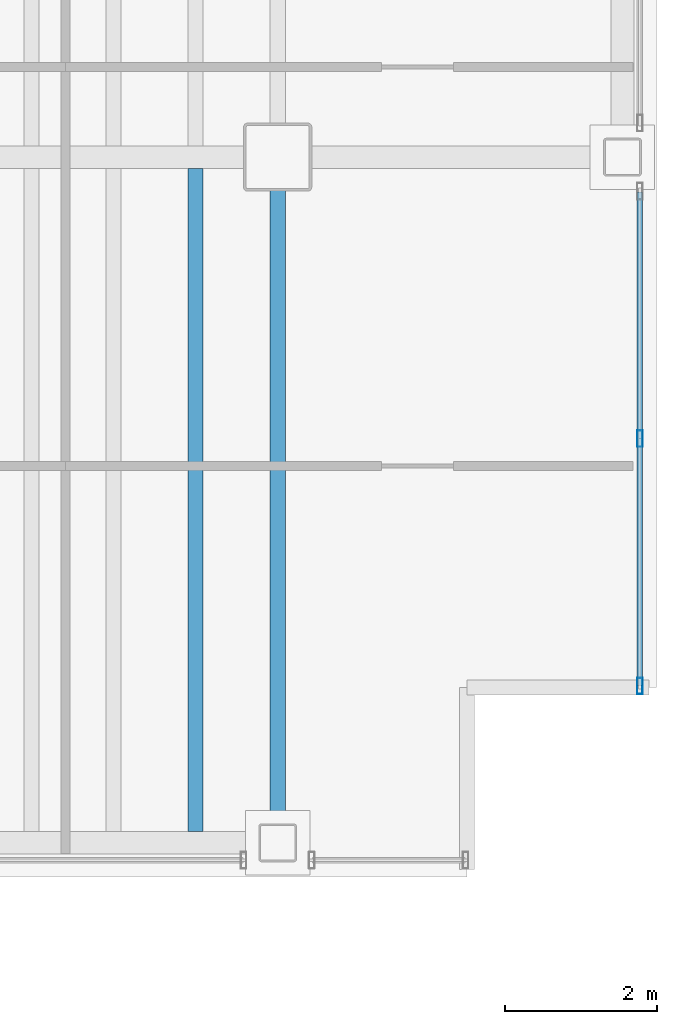
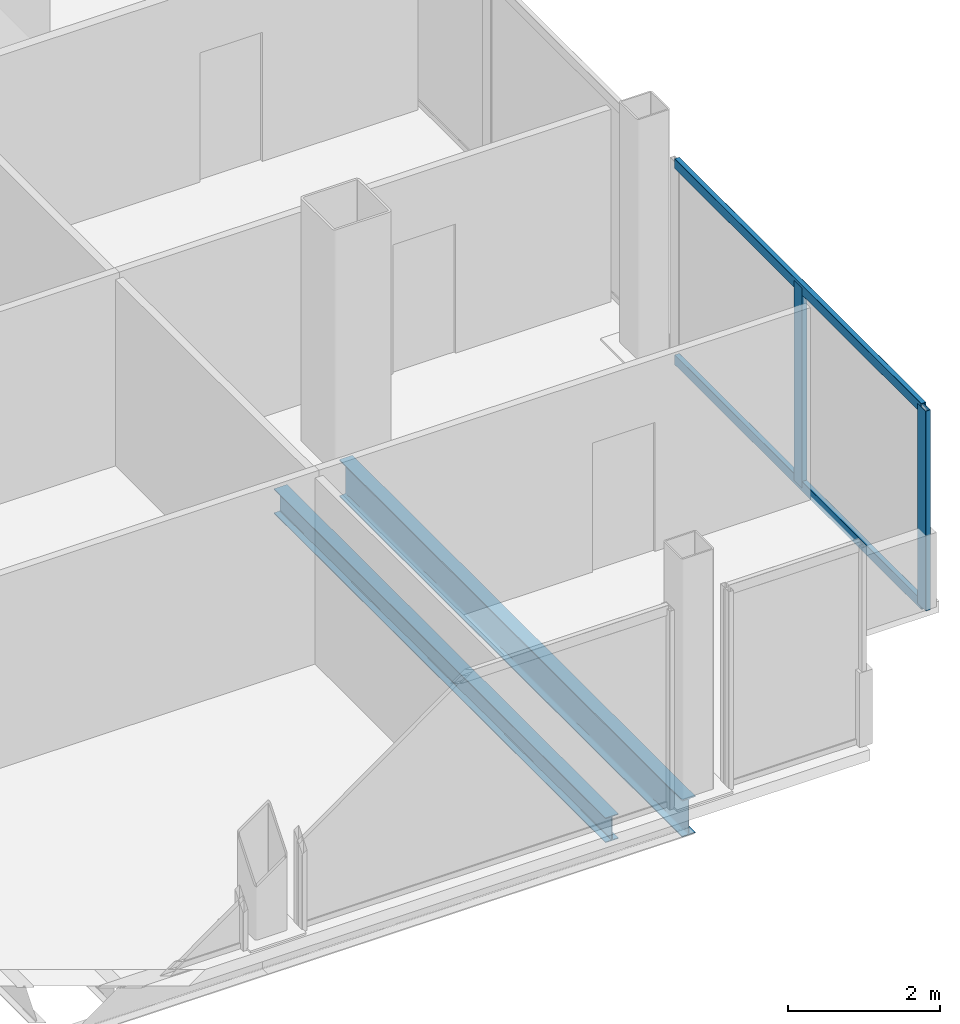
# One storey, part 14 of 22: 4 members, 2 beams, 1 element without a shape of its own.
"""IFC4 building model written with IfcOpenShell, lengths in metres."""

from ifc_helpers import new_model, si_unit, direction, frame, origin, origin_2d, place, context, subcontext, project, spatial, hollow_rectangle, i_section, extrude, material, material_profile, profile_set, type_object, element, aggregate, save


model = new_model("IFC4")

# Units and contexts
model_context = context("Model", 3, precision=1e-05, world=origin(), true_north=direction((0.0, 1.0)))
body_context = subcontext(model_context, "Body", "Model", "MODEL_VIEW")
ifc_project = project(units=[si_unit("LENGTHUNIT", "METRE"), si_unit("AREAUNIT", "SQUARE_METRE"), si_unit("VOLUMEUNIT", "CUBIC_METRE"), si_unit("PLANEANGLEUNIT", "RADIAN"), si_unit("MASSUNIT", "GRAM", prefix="KILO")], contexts=[model_context])

# Site, building, storey
site_placement = place(None, origin())
site = spatial("IfcSite", under=ifc_project, at=site_placement, CompositionType="ELEMENT")
building_placement = place(site_placement, origin())
building = spatial("IfcBuilding", under=site, at=building_placement, Name="Noeulbin Bourse Tower", CompositionType="ELEMENT")
storey_placement = place(building_placement, frame((0.0, 0.0, 134.39990234375)))
storey = spatial("IfcBuildingStorey", under=building, at=storey_placement, Name="L33", CompositionType="ELEMENT", Elevation=134.39990234375)

# Beams
ifc_material_1 = material(Name="Steel S355", Category="steel")
ifc_material_profile_1 = material_profile(ifc_material_1, i_section(OverallWidth=0.199951171875, OverallDepth=0.60009765625, WebThickness=0.010986328125, FlangeThickness=0.01708984375, FilletRadius=0.02197265625, at=origin_2d()), Name="H-600x200x11x17", Category="LoadBearing")
ifc_profile_set_1 = profile_set([ifc_material_profile_1], Name="Steel S355")
beam_type_1 = type_object("IfcBeamType", Name="BM-GRD-600", PredefinedType="USERDEFINED", material=ifc_profile_set_1)
beam_1_placement = place(storey_placement, frame((44.0, 10.949951171875, -0.47998046875), z_axis=(0.0, 1.0, 0.0), x_axis=(-1.0, 0.0, 0.0)))
element("IfcBeam", 1, at=beam_1_placement, inside=storey, type_object=beam_type_1, Name="Tower Primary Girder NS L33-5.1", ObjectType="GIRDER", PredefinedType="USERDEFINED", context=body_context, shape_type="SweptSolid", body=[
    extrude(i_section(OverallWidth=0.199951171875, OverallDepth=0.60009765625, WebThickness=0.010986328125, FlangeThickness=0.01708984375, FilletRadius=0.02197265625, at=origin_2d()), origin(), (0.0, 0.0, 1.0), 9.050048828125),
])
ifc_material_profile_2 = material_profile(ifc_material_1, i_section(OverallWidth=0.199951171875, OverallDepth=0.39990234375, WebThickness=0.008056640625, FlangeThickness=0.012939453125, FilletRadius=0.01611328125, at=origin_2d()), Name="H-400x200x8x13", Category="LoadBearing")
ifc_profile_set_2 = profile_set([ifc_material_profile_2], Name="Steel S355")
beam_type_2 = type_object("IfcBeamType", Name="BM-SEC-400", PredefinedType="BEAM", material=ifc_profile_set_2)
beam_2_placement = place(storey_placement, frame((42.916748046875, 11.10009765625, -0.3798828125), z_axis=(0.0, 1.0, 0.0), x_axis=(-1.0, 0.0, 0.0)))
element("IfcBeam", 2, at=beam_2_placement, inside=storey, type_object=beam_type_2, Name="Tower Composite Joist L33-45", PredefinedType="BEAM", context=body_context, shape_type="SweptSolid", body=[
    extrude(i_section(OverallWidth=0.199951171875, OverallDepth=0.39990234375, WebThickness=0.008056640625, FlangeThickness=0.012939453125, FilletRadius=0.01611328125, at=origin_2d()), origin(), (0.0, 0.0, 1.0), 8.75),
])

# Curtain wall, members
ifc_material_2 = material(Name="Dark Tinted Triple Glazing", Category="glass")
curtain_wall_type = type_object("IfcCurtainWallType", Name="CW-SYS-3", PredefinedType="NOTDEFINED", material=ifc_material_2)
curtain_wall_placement = place(storey_placement, origin())
curtain_wall = element("IfcCurtainWall", 3, at=curtain_wall_placement, inside=storey, type_object=curtain_wall_type, Name="Unitised Curtain Wall CW-L33-E-S1", PredefinedType="NOTDEFINED")
ifc_material_3 = material(Name="Anodised Aluminium 6063-T6", Category="aluminium")
ifc_material_profile_3 = material_profile(ifc_material_3, hollow_rectangle(XDim=0.074951171875, YDim=0.219970703125, WallThickness=0.0048828125, InnerFilletRadius=0.00244140625, OuterFilletRadius=0.0048828125, at=origin_2d()), Name="ALU-MULL-75x220x5", Category="LoadBearing")
ifc_profile_set_3 = profile_set([ifc_material_profile_3], Name="Anodised Aluminium 6063-T6")
member_type_1 = type_object("IfcMemberType", Name="CW-SYS-3-MUL", PredefinedType="MULLION", material=ifc_profile_set_3)
member_1_placement = place(storey_placement, frame((48.780029296875, 13.02001953125, -0.02001953125), z_axis=(0.0, 0.0, 1.0), x_axis=(1.0, 0.0, 0.0)))
member_1 = element("IfcMember", 4, at=member_1_placement, type_object=member_type_1, Name="Curtain Wall Mullion CW-L33-E-S1-M00", PredefinedType="MULLION", context=body_context, shape_type="SweptSolid", body=[
    extrude(hollow_rectangle(XDim=0.074951171875, YDim=0.219970703125, WallThickness=0.0048828125, InnerFilletRadius=0.00244140625, OuterFilletRadius=0.0048828125, at=origin_2d()), origin(), (0.0, 0.0, 1.0), 3.22021484375),
])
member_2_placement = place(storey_placement, frame((48.780029296875, 16.284912109375, -0.02001953125), z_axis=(0.0, 0.0, 1.0), x_axis=(1.0, 0.0, 0.0)))
member_2 = element("IfcMember", 5, at=member_2_placement, type_object=member_type_1, Name="Curtain Wall Mullion CW-L33-E-S1-M01", PredefinedType="MULLION", context=body_context, shape_type="SweptSolid", body=[
    extrude(hollow_rectangle(XDim=0.074951171875, YDim=0.219970703125, WallThickness=0.0048828125, InnerFilletRadius=0.00244140625, OuterFilletRadius=0.0048828125, at=origin_2d()), origin(), (0.0, 0.0, 1.0), 3.22021484375),
])
ifc_material_profile_4 = material_profile(ifc_material_3, hollow_rectangle(XDim=0.074951171875, YDim=0.159912109375, WallThickness=0.0048828125, InnerFilletRadius=0.00244140625, OuterFilletRadius=0.0048828125, at=origin_2d()), Name="ALU-TRAN-75x160x5", Category="LoadBearing")
ifc_profile_set_4 = profile_set([ifc_material_profile_4], Name="Anodised Aluminium 6063-T6")
member_type_2 = type_object("IfcMemberType", Name="CW-SYS-3-TRN", PredefinedType="USERDEFINED", material=ifc_profile_set_4)
member_3_placement = place(storey_placement, frame((48.780029296875, 13.030029296875, 0.010009765625), z_axis=(0.0, 1.0, 0.0), x_axis=(-1.0, 0.0, 0.0)))
member_3 = element("IfcMember", 6, at=member_3_placement, type_object=member_type_2, Name="Curtain Wall Transom CW-L33-E-S1-T00", ObjectType="TRANSOM", PredefinedType="USERDEFINED", context=body_context, shape_type="SweptSolid", body=[
    extrude(hollow_rectangle(XDim=0.074951171875, YDim=0.159912109375, WallThickness=0.0048828125, InnerFilletRadius=0.00244140625, OuterFilletRadius=0.0048828125, at=origin_2d()), origin(), (0.0, 0.0, 1.0), 6.510009765625),
])
member_4_placement = place(storey_placement, frame((48.780029296875, 13.030029296875, 3.170166015625), z_axis=(0.0, 1.0, 0.0), x_axis=(-1.0, 0.0, 0.0)))
member_4 = element("IfcMember", 7, at=member_4_placement, type_object=member_type_2, Name="Curtain Wall Transom CW-L33-E-S1-T01", ObjectType="TRANSOM", PredefinedType="USERDEFINED", context=body_context, shape_type="SweptSolid", body=[
    extrude(hollow_rectangle(XDim=0.074951171875, YDim=0.159912109375, WallThickness=0.0048828125, InnerFilletRadius=0.00244140625, OuterFilletRadius=0.0048828125, at=origin_2d()), origin(), (0.0, 0.0, 1.0), 6.510009765625),
])
aggregate(curtain_wall, [member_1, member_2, member_3, member_4])

save(model, "model.ifc")
